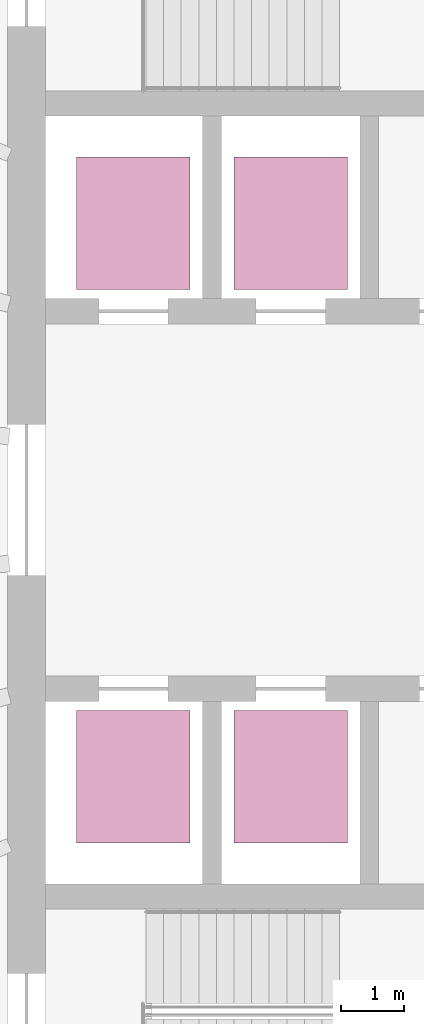
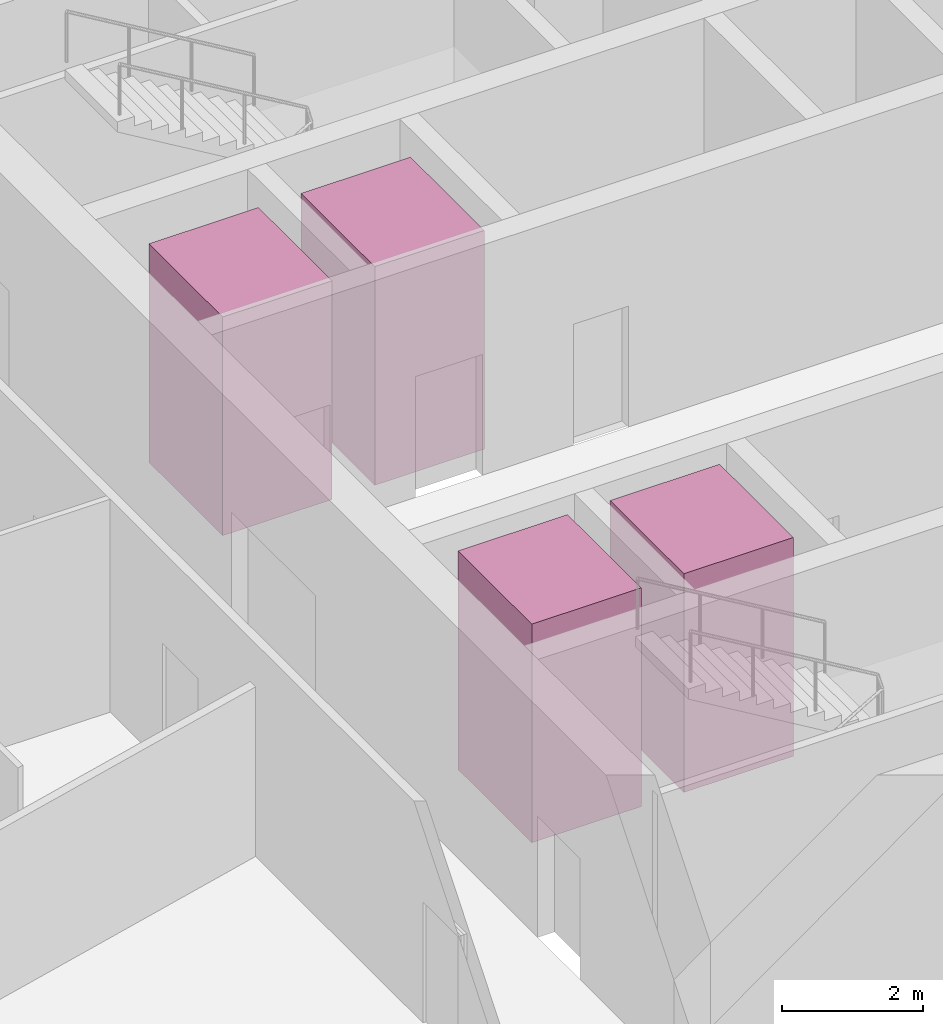
# One storey, part 10 of 10: 4 transport elements.
"""IFC4 building model written with IfcOpenShell, lengths in metres."""

from ifc_helpers import new_model, si_unit, direction, frame, origin, origin_2d, place, context, subcontext, project, spatial, rectangle, extrude, material, type_object, element, save


model = new_model("IFC4")

# Units and contexts
model_context = context("Model", 3, precision=1e-05, world=origin(), true_north=direction((0.0, 1.0)))
body_context = subcontext(model_context, "Body", "Model", "MODEL_VIEW")
ifc_project = project(units=[si_unit("LENGTHUNIT", "METRE"), si_unit("AREAUNIT", "SQUARE_METRE"), si_unit("VOLUMEUNIT", "CUBIC_METRE"), si_unit("PLANEANGLEUNIT", "RADIAN"), si_unit("MASSUNIT", "GRAM", prefix="KILO")], contexts=[model_context])

# Site, building, storey
site_placement = place(None, origin())
site = spatial("IfcSite", under=ifc_project, at=site_placement, CompositionType="ELEMENT")
building_placement = place(site_placement, origin())
building = spatial("IfcBuilding", under=site, at=building_placement, Name="Halqa Exchange Tower", CompositionType="ELEMENT")
storey_placement = place(building_placement, frame((0.0, 0.0, 320.300048828125)))
storey = spatial("IfcBuildingStorey", under=building, at=storey_placement, Name="L75", CompositionType="ELEMENT", Elevation=320.300048828125)

# Transport elements
ifc_material = material(Name="Stainless steel", Category="steel")
transport_element_type = type_object("IfcTransportElementType", Name="High-rise passenger lift 1800 x 2100", PredefinedType="ELEVATOR", material=ifc_material)
for number, where, z_axis, x_axis, name in (
    (1, (-10.0, 4.39990234375, 0.0), (0.0, 0.0, 1.0), (1.0, 0.0, 0.0), "High-rise passenger lift HR1"),
    (2, (-7.5, 4.39990234375, 0.0), (0.0, 0.0, 1.0), (1.0, 0.0, 0.0), "High-rise passenger lift HR2"),
    (3, (-10.0, -4.39990234375, 0.0), (0.0, 0.0, 1.0), (1.0, 0.0, 0.0), "High-rise passenger lift HR3"),
    (4, (-7.5, -4.39990234375, 0.0), (0.0, 0.0, 1.0), (1.0, 0.0, 0.0), "High-rise passenger lift HR4"),
):
    element("IfcTransportElement", number, at=place(storey_placement, frame(where, z_axis=z_axis, x_axis=x_axis)), inside=storey, type_object=transport_element_type, Name=name, PredefinedType="ELEVATOR", context=body_context, shape_type="SweptSolid", body=[
        extrude(rectangle(XDim=1.800048828125, YDim=2.10009765625, at=origin_2d()), origin(), (0.0, 0.0, 1.0), 3.800048828125),
    ])

save(model, "model.ifc")
